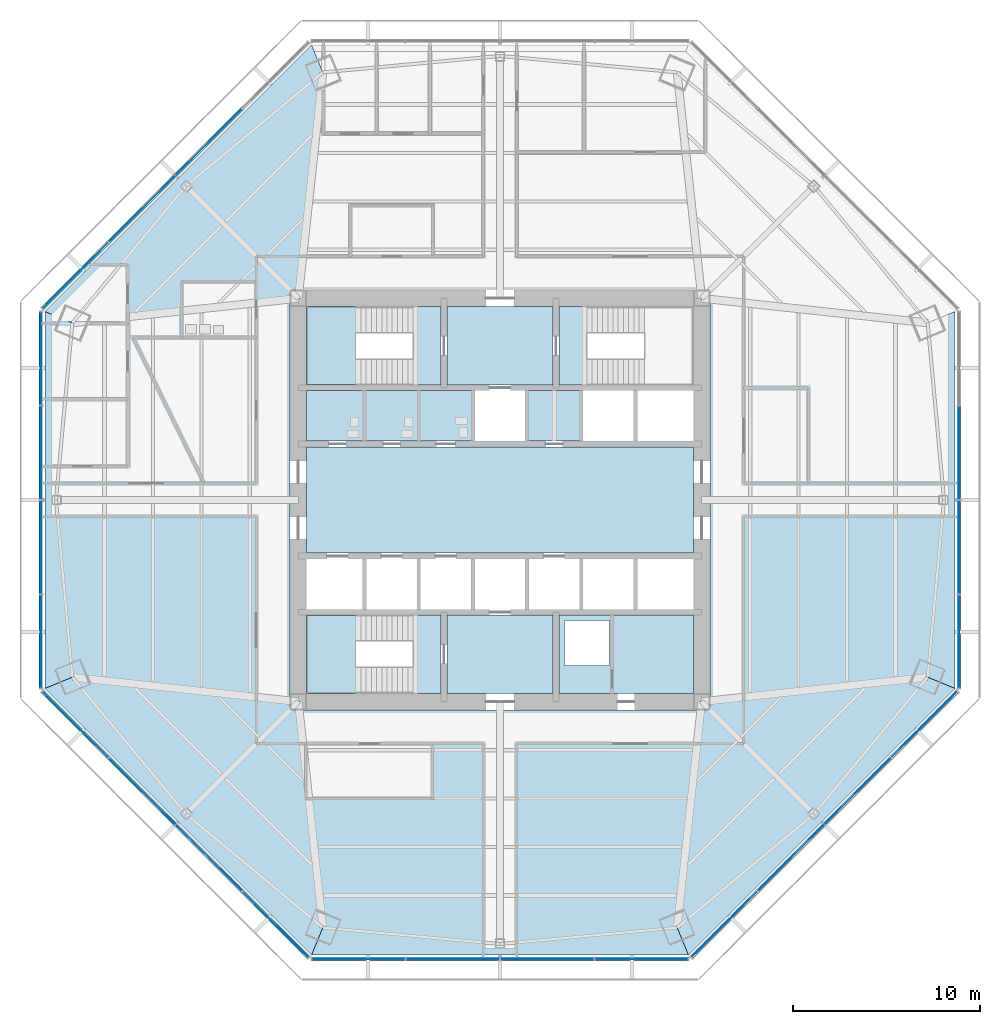
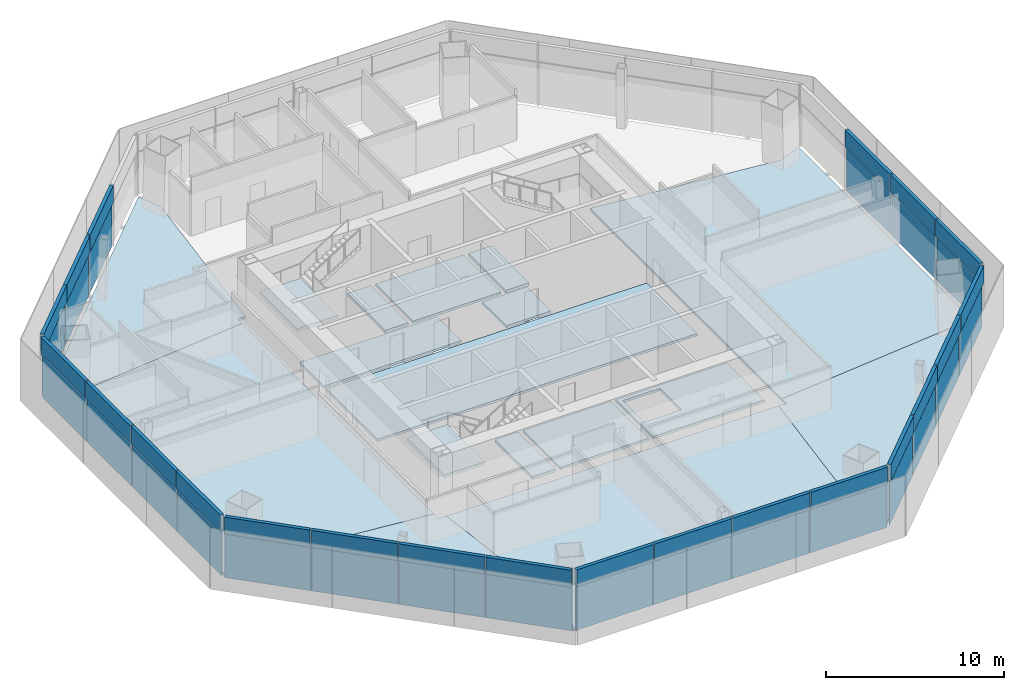
# One storey, part 7 of 14: 44 plates, 17 slabs, 9 elements without a shape of their own.
"""IFC4 building model written with IfcOpenShell, lengths in metres."""

from ifc_helpers import new_model, si_unit, direction, frame, origin, origin_2d, place, context, subcontext, project, spatial, polyline, rectangle, outline, extrude, source, transform, mapped, material, layer, layer_set, type_object, type_shapes, element, aggregate, save


model = new_model("IFC4")

# Units and contexts
model_context = context("Model", 3, precision=1e-05, world=origin(), true_north=direction((0.0, 1.0)))
body_context = subcontext(model_context, "Body", "Model", "MODEL_VIEW")
ifc_project = project(units=[si_unit("LENGTHUNIT", "METRE"), si_unit("AREAUNIT", "SQUARE_METRE"), si_unit("VOLUMEUNIT", "CUBIC_METRE"), si_unit("PLANEANGLEUNIT", "RADIAN"), si_unit("MASSUNIT", "GRAM", prefix="KILO")], contexts=[model_context])

# Site, building, storey
site_placement = place(None, origin())
site = spatial("IfcSite", under=ifc_project, at=site_placement, CompositionType="ELEMENT")
building_placement = place(site_placement, origin())
building = spatial("IfcBuilding", under=site, at=building_placement, Name="Mashrafa Tower", CompositionType="ELEMENT")
storey_placement = place(building_placement, frame((0.0, 0.0, 121.800048828125)))
storey = spatial("IfcBuildingStorey", under=building, at=storey_placement, Name="L27", CompositionType="ELEMENT", Elevation=121.800048828125)

# Slabs
ifc_material_1 = material(Name="Concrete C35/45", Category="concrete")
ifc_layer_1 = layer(ifc_material_1, 0.1650390625)
ifc_layer_set_1 = layer_set([ifc_layer_1], Name="Floor slab 165")
slab_type_1 = type_object("IfcSlabType", Name="Floor slab 165", PredefinedType="FLOOR", material=ifc_layer_set_1)
slab_1_placement = place(storey_placement, frame((0.0, 0.0, -0.1650390625)))
element("IfcSlab", 1, at=slab_1_placement, inside=storey, type_object=slab_type_1, Name="Floor slab L27 east bay", PredefinedType="FLOOR", context=body_context, shape_type="SweptSolid", body=[
    extrude(outline(polyline([(24.369140625, 10.093994140625), (24.369140625, -10.093994140625), (24.369140625, -10.093994140625), (22.8955078125, -9.483642578125), (11.25, -10.7509765625), (11.25, 10.7509765625), (22.8955078125, 9.483642578125), (24.369140625, 10.093994140625), (24.369140625, 10.093994140625)])), origin(), (0.0, 0.0, 1.0), 0.1650390625),
])
slab_2_placement = place(storey_placement, frame((0.0, 0.0, -0.1650390625)))
element("IfcSlab", 2, at=slab_2_placement, inside=storey, type_object=slab_type_1, Name="Floor slab L27 north-west bay", PredefinedType="FLOOR", context=body_context, shape_type="SweptSolid", body=[
    extrude(outline(polyline([(-10.093994140625, 24.369140625), (-9.483642578125, 22.8955078125), (-10.7509765625, 11.25), (-11.25, 11.25), (-11.25, 10.7509765625), (-22.8955078125, 9.483642578125), (-24.369140625, 10.093994140625), (-10.093994140625, 24.369140625)])), origin(), (0.0, 0.0, 1.0), 0.1650390625),
])
slab_3_placement = place(storey_placement, frame((0.0, 0.0, -0.1650390625)))
element("IfcSlab", 3, at=slab_3_placement, inside=storey, type_object=slab_type_1, Name="Floor slab L27 west bay", PredefinedType="FLOOR", context=body_context, shape_type="SweptSolid", body=[
    extrude(outline(polyline([(-24.369140625, -10.093994140625), (-24.369140625, 10.093994140625), (-24.369140625, 10.093994140625), (-22.8955078125, 9.483642578125), (-11.25, 10.7509765625), (-11.25, -10.7509765625), (-22.8955078125, -9.483642578125), (-24.369140625, -10.093994140625), (-24.369140625, -10.093994140625)])), origin(), (0.0, 0.0, 1.0), 0.1650390625),
])
slab_4_placement = place(storey_placement, frame((0.0, 0.0, -0.1650390625)))
element("IfcSlab", 4, at=slab_4_placement, inside=storey, type_object=slab_type_1, Name="Floor slab L27 south-west bay", PredefinedType="FLOOR", context=body_context, shape_type="SweptSolid", body=[
    extrude(outline(polyline([(-24.369140625, -10.093994140625), (-22.8955078125, -9.483642578125), (-11.25, -10.7509765625), (-11.25, -11.25), (-10.7509765625, -11.25), (-9.483642578125, -22.8955078125), (-10.093994140625, -24.369140625), (-24.369140625, -10.093994140625)])), origin(), (0.0, 0.0, 1.0), 0.1650390625),
])
slab_5_placement = place(storey_placement, frame((0.0, 0.0, -0.1650390625)))
element("IfcSlab", 5, at=slab_5_placement, inside=storey, type_object=slab_type_1, Name="Floor slab L27 south bay", PredefinedType="FLOOR", context=body_context, shape_type="SweptSolid", body=[
    extrude(outline(polyline([(-10.093994140625, -24.369140625), (-10.093994140625, -24.369140625), (-9.483642578125, -22.8955078125), (-10.7509765625, -11.25), (10.7509765625, -11.25), (9.483642578125, -22.8955078125), (10.093994140625, -24.369140625), (10.093994140625, -24.369140625), (-10.093994140625, -24.369140625)])), origin(), (0.0, 0.0, 1.0), 0.1650390625),
])
slab_6_placement = place(storey_placement, frame((0.0, 0.0, -0.1650390625)))
element("IfcSlab", 6, at=slab_6_placement, inside=storey, type_object=slab_type_1, Name="Floor slab L27 south-east bay", PredefinedType="FLOOR", context=body_context, shape_type="SweptSolid", body=[
    extrude(outline(polyline([(10.093994140625, -24.369140625), (9.483642578125, -22.8955078125), (10.7509765625, -11.25), (11.25, -11.25), (11.25, -10.7509765625), (22.8955078125, -9.483642578125), (24.369140625, -10.093994140625), (10.093994140625, -24.369140625)])), origin(), (0.0, 0.0, 1.0), 0.1650390625),
])
slab_7_placement = place(storey_placement, frame((0.0, 0.0, -0.1650390625)))
element("IfcSlab", 7, at=slab_7_placement, inside=storey, type_object=slab_type_1, Name="Core floor lift hall L27", PredefinedType="FLOOR", context=body_context, shape_type="SweptSolid", body=[
    extrude(outline(polyline([(-10.35009765625, 2.85009765625), (10.35009765625, 2.85009765625), (10.35009765625, -2.85009765625), (-10.35009765625, -2.85009765625), (-10.35009765625, 2.85009765625)])), origin(), (0.0, 0.0, 1.0), 0.1650390625),
])
slab_8_placement = place(storey_placement, frame((0.0, 0.0, -0.1650390625)))
element("IfcSlab", 8, at=slab_8_placement, inside=storey, type_object=slab_type_1, Name="Core floor riser and electrical band L27", PredefinedType="FLOOR", context=body_context, shape_type="SweptSolid", body=[
    extrude(outline(polyline([(10.35009765625, -6.14990234375), (10.35009765625, -10.35009765625), (3.14990234375, -10.35009765625), (3.14990234375, -6.14990234375), (10.35009765625, -6.14990234375)]), holes=[polyline([(3.449951171875, -8.85009765625), (5.85009765625, -8.85009765625), (5.85009765625, -6.449951171875), (3.449951171875, -6.449951171875), (3.449951171875, -8.85009765625)])]), origin(), (0.0, 0.0, 1.0), 0.1650390625),
])
slab_9_placement = place(storey_placement, frame((0.0, 0.0, -0.1650390625)))
element("IfcSlab", 9, at=slab_9_placement, inside=storey, type_object=slab_type_1, Name="Core floor lift cell L27", PredefinedType="FLOOR", context=body_context, shape_type="SweptSolid", body=[
    extrude(outline(polyline([(-1.449951171875, 3.14990234375), (-10.35009765625, 3.14990234375), (-10.35009765625, 5.85009765625), (-1.449951171875, 5.85009765625), (-1.449951171875, 3.14990234375)])), origin(), (0.0, 0.0, 1.0), 0.1650390625),
])
slab_10_placement = place(storey_placement, frame((0.0, 0.0, -0.1650390625)))
element("IfcSlab", 10, at=slab_10_placement, inside=storey, type_object=slab_type_1, Name="Core floor fire-fighting lobby north L27", PredefinedType="FLOOR", context=body_context, shape_type="SweptSolid", body=[
    extrude(outline(polyline([(-2.85009765625, 10.35009765625), (2.85009765625, 10.35009765625), (2.85009765625, 6.14990234375), (-2.85009765625, 6.14990234375), (-2.85009765625, 10.35009765625)])), origin(), (0.0, 0.0, 1.0), 0.1650390625),
])
slab_11_placement = place(storey_placement, frame((0.0, 0.0, -0.1650390625)))
element("IfcSlab", 11, at=slab_11_placement, inside=storey, type_object=slab_type_1, Name="Core floor fire-fighting lobby south L27", PredefinedType="FLOOR", context=body_context, shape_type="SweptSolid", body=[
    extrude(outline(polyline([(2.85009765625, -6.14990234375), (2.85009765625, -10.35009765625), (-2.85009765625, -10.35009765625), (-2.85009765625, -6.14990234375), (2.85009765625, -6.14990234375)])), origin(), (0.0, 0.0, 1.0), 0.1650390625),
])
slab_12_placement = place(storey_placement, frame((0.0, 0.0, -0.1650390625)))
element("IfcSlab", 12, at=slab_12_placement, inside=storey, type_object=slab_type_1, Name="Core floor lift cell L27", PredefinedType="FLOOR", context=body_context, shape_type="SweptSolid", body=[
    extrude(outline(polyline([(4.35009765625, 5.85009765625), (4.35009765625, 3.14990234375), (1.449951171875, 3.14990234375), (1.449951171875, 5.85009765625), (4.35009765625, 5.85009765625)])), origin(), (0.0, 0.0, 1.0), 0.1650390625),
])

# Stair, slabs
ifc_material_2 = material(Name="Exit stair 1400")
stair_type = type_object("IfcStairType", Name="Exit stair 1400", PredefinedType="HALF_TURN_STAIR", material=ifc_material_2)
stair_1_placement = place(storey_placement, origin())
stair_1 = element("IfcStair", 13, at=stair_1_placement, inside=storey, type_object=stair_type, Name="Stair S1 L27", PredefinedType="HALF_TURN_STAIR")
ifc_material_3 = material(Name="Concrete C32/40", Category="concrete")
ifc_layer_2 = layer(ifc_material_3, 0.199951171875)
ifc_layer_set_2 = layer_set([ifc_layer_2], Name="Stair landing 200")
slab_type_2 = type_object("IfcSlabType", Name="Stair landing 200", PredefinedType="LANDING", material=ifc_layer_set_2)
slab_13_placement = place(storey_placement, frame((0.0, 0.0, -0.199951171875)))
slab_13 = element("IfcSlab", 14, at=slab_13_placement, type_object=slab_type_2, Name="S1 landing 1", PredefinedType="LANDING", context=body_context, shape_type="SweptSolid", body=[
    extrude(outline(polyline([(-4.659912109375, 6.14990234375), (-3.14990234375, 6.14990234375), (-3.14990234375, 10.35009765625), (-4.659912109375, 10.35009765625), (-4.659912109375, 6.14990234375)])), origin(), (0.0, 0.0, 1.0), 0.199951171875),
])
slab_14_placement = place(storey_placement, frame((0.0, 0.0, 1.89990234375)))
slab_14 = element("IfcSlab", 15, at=slab_14_placement, type_object=slab_type_2, Name="S1 landing 2", PredefinedType="LANDING", context=body_context, shape_type="SweptSolid", body=[
    extrude(outline(polyline([(-10.35009765625, 6.14990234375), (-7.719970703125, 6.14990234375), (-7.719970703125, 10.35009765625), (-10.35009765625, 10.35009765625), (-10.35009765625, 6.14990234375)])), origin(), (0.0, 0.0, 1.0), 0.199951171875),
])
aggregate(stair_1, [slab_13, slab_14])

# Stair, slab
stair_2_placement = place(storey_placement, origin())
stair_2 = element("IfcStair", 16, at=stair_2_placement, inside=storey, type_object=stair_type, Name="Stair S2 L27", PredefinedType="HALF_TURN_STAIR")
slab_15_placement = place(storey_placement, frame((0.0, 0.0, -0.199951171875)))
slab_15 = element("IfcSlab", 17, at=slab_15_placement, type_object=slab_type_2, Name="S2 landing 1", PredefinedType="LANDING", context=body_context, shape_type="SweptSolid", body=[
    extrude(outline(polyline([(3.14990234375, 6.14990234375), (4.659912109375, 6.14990234375), (4.659912109375, 10.35009765625), (3.14990234375, 10.35009765625), (3.14990234375, 6.14990234375)])), origin(), (0.0, 0.0, 1.0), 0.199951171875),
])
aggregate(stair_2, [slab_15])

# Stair, slabs
stair_3_placement = place(storey_placement, origin())
stair_3 = element("IfcStair", 18, at=stair_3_placement, inside=storey, type_object=stair_type, Name="Stair S3 L27", PredefinedType="HALF_TURN_STAIR")
slab_16_placement = place(storey_placement, frame((0.0, 0.0, -0.199951171875)))
slab_16 = element("IfcSlab", 19, at=slab_16_placement, type_object=slab_type_2, Name="S3 landing 1", PredefinedType="LANDING", context=body_context, shape_type="SweptSolid", body=[
    extrude(outline(polyline([(-4.659912109375, -10.35009765625), (-3.14990234375, -10.35009765625), (-3.14990234375, -6.14990234375), (-4.659912109375, -6.14990234375), (-4.659912109375, -10.35009765625)])), origin(), (0.0, 0.0, 1.0), 0.199951171875),
])
slab_17_placement = place(storey_placement, frame((0.0, 0.0, 1.89990234375)))
slab_17 = element("IfcSlab", 20, at=slab_17_placement, type_object=slab_type_2, Name="S3 landing 2", PredefinedType="LANDING", context=body_context, shape_type="SweptSolid", body=[
    extrude(outline(polyline([(-10.35009765625, -10.35009765625), (-7.719970703125, -10.35009765625), (-7.719970703125, -6.14990234375), (-10.35009765625, -6.14990234375), (-10.35009765625, -10.35009765625)])), origin(), (0.0, 0.0, 1.0), 0.199951171875),
])
aggregate(stair_3, [slab_16, slab_17])

# Curtain wall, plate
ifc_material_4 = material(Name="Unitised aluminium curtain wall", Category="aluminium")
curtain_wall_type = type_object("IfcCurtainWallType", Name="Office curtain wall, zone 2 CW-B 225 deep", PredefinedType="NOTDEFINED", material=ifc_material_4)
curtain_wall_1_placement = place(storey_placement, origin())
curtain_wall_1 = element("IfcCurtainWall", 21, at=curtain_wall_1_placement, inside=storey, type_object=curtain_wall_type, Name="Office curtain wall, zone 2 L27 east", PredefinedType="NOTDEFINED")
ifc_material_5 = material(Name="Insulated double glazing, low-e, neutral", Category="glass")
ifc_layer_3 = layer(ifc_material_5, 0.028076171875)
ifc_layer_set_3 = layer_set([ifc_layer_3], Name="Vision panel CW-B 28")
plate_type_1 = type_object("IfcPlateType", Name="Vision panel CW-B 28", PredefinedType="CURTAIN_PANEL", material=ifc_layer_set_3)
shared_shape_1 = source(origin(), body_context, "Body", "SweptSolid", [
    extrude(rectangle(XDim=4.962646484375, YDim=0.028076171875, at=origin_2d()), origin(), (0.0, 0.0, 1.0), 2.9599609375),
])
plate_1_placement = place(storey_placement, frame((24.569091796875, -7.573974609375, 0.0), z_axis=(0.0, 0.0, 1.0), x_axis=(0.0, 1.0, 0.0)))
plate_1 = element("IfcPlate", 22, at=plate_1_placement, type_object=plate_type_1, Name="CW-B vision panel 1", PredefinedType="CURTAIN_PANEL", context=body_context, shape_type="MappedRepresentation", body=[
    mapped(shared_shape_1, transform((0.0, 0.0, 0.0))),
])

curtain_wall_2_placement = place(storey_placement, origin())
curtain_wall_2 = element("IfcCurtainWall", 23, at=curtain_wall_2_placement, inside=storey, type_object=curtain_wall_type, Name="Office curtain wall, zone 2 L27 north-west", PredefinedType="NOTDEFINED")
plate_2_placement = place(storey_placement, frame((-22.728515625, 12.017333984375, 0.0), z_axis=(0.0, 0.0, 1.0), x_axis=(-0.707106781187, -0.707106781187, 0.0)))
plate_2 = element("IfcPlate", 24, at=plate_2_placement, type_object=plate_type_1, Name="CW-B vision panel 4", PredefinedType="CURTAIN_PANEL", context=body_context, shape_type="MappedRepresentation", body=[
    mapped(shared_shape_1, transform((0.0, 0.0, 0.0))),
])

# Curtain wall, plates
curtain_wall_3_placement = place(storey_placement, origin())
curtain_wall_3 = element("IfcCurtainWall", 25, at=curtain_wall_3_placement, inside=storey, type_object=curtain_wall_type, Name="Office curtain wall, zone 2 L27 west", PredefinedType="NOTDEFINED")
plate_3_placement = place(storey_placement, frame((-24.569091796875, 7.573974609375, 0.0), z_axis=(0.0, 0.0, 1.0), x_axis=(0.0, -1.0, 0.0)))
plate_3 = element("IfcPlate", 26, at=plate_3_placement, type_object=plate_type_1, Name="CW-B vision panel 1", PredefinedType="CURTAIN_PANEL", context=body_context, shape_type="MappedRepresentation", body=[
    mapped(shared_shape_1, transform((0.0, 0.0, 0.0))),
])
plate_4_placement = place(storey_placement, frame((-24.569091796875, -7.573974609375, 0.0), z_axis=(0.0, 0.0, 1.0), x_axis=(0.0, -1.0, 0.0)))
plate_4 = element("IfcPlate", 27, at=plate_4_placement, type_object=plate_type_1, Name="CW-B vision panel 4", PredefinedType="CURTAIN_PANEL", context=body_context, shape_type="MappedRepresentation", body=[
    mapped(shared_shape_1, transform((0.0, 0.0, 0.0))),
])

curtain_wall_4_placement = place(storey_placement, origin())
curtain_wall_4 = element("IfcCurtainWall", 28, at=curtain_wall_4_placement, inside=storey, type_object=curtain_wall_type, Name="Office curtain wall, zone 2 L27 south-west", PredefinedType="NOTDEFINED")
plate_5_placement = place(storey_placement, frame((-22.728515625, -12.017333984375, 0.0), z_axis=(0.0, 0.0, 1.0), x_axis=(0.707106781187, -0.707106781187, 0.0)))
plate_5 = element("IfcPlate", 29, at=plate_5_placement, type_object=plate_type_1, Name="CW-B vision panel 1", PredefinedType="CURTAIN_PANEL", context=body_context, shape_type="MappedRepresentation", body=[
    mapped(shared_shape_1, transform((0.0, 0.0, 0.0))),
])
plate_6_placement = place(storey_placement, frame((-12.017333984375, -22.728515625, 0.0), z_axis=(0.0, 0.0, 1.0), x_axis=(0.707106781187, -0.707106781187, 0.0)))
plate_6 = element("IfcPlate", 30, at=plate_6_placement, type_object=plate_type_1, Name="CW-B vision panel 4", PredefinedType="CURTAIN_PANEL", context=body_context, shape_type="MappedRepresentation", body=[
    mapped(shared_shape_1, transform((0.0, 0.0, 0.0))),
])

curtain_wall_5_placement = place(storey_placement, origin())
curtain_wall_5 = element("IfcCurtainWall", 31, at=curtain_wall_5_placement, inside=storey, type_object=curtain_wall_type, Name="Office curtain wall, zone 2 L27 south", PredefinedType="NOTDEFINED")
plate_7_placement = place(storey_placement, frame((-7.573974609375, -24.569091796875, 0.0), z_axis=(0.0, 0.0, 1.0), x_axis=(1.0, 0.0, 0.0)))
plate_7 = element("IfcPlate", 32, at=plate_7_placement, type_object=plate_type_1, Name="CW-B vision panel 1", PredefinedType="CURTAIN_PANEL", context=body_context, shape_type="MappedRepresentation", body=[
    mapped(shared_shape_1, transform((0.0, 0.0, 0.0))),
])
plate_8_placement = place(storey_placement, frame((7.573974609375, -24.569091796875, 0.0), z_axis=(0.0, 0.0, 1.0), x_axis=(1.0, 0.0, 0.0)))
plate_8 = element("IfcPlate", 33, at=plate_8_placement, type_object=plate_type_1, Name="CW-B vision panel 4", PredefinedType="CURTAIN_PANEL", context=body_context, shape_type="MappedRepresentation", body=[
    mapped(shared_shape_1, transform((0.0, 0.0, 0.0))),
])

curtain_wall_6_placement = place(storey_placement, origin())
curtain_wall_6 = element("IfcCurtainWall", 34, at=curtain_wall_6_placement, inside=storey, type_object=curtain_wall_type, Name="Office curtain wall, zone 2 L27 south-east", PredefinedType="NOTDEFINED")
plate_9_placement = place(storey_placement, frame((12.017333984375, -22.728515625, 0.0), z_axis=(0.0, 0.0, 1.0), x_axis=(0.707106781187, 0.707106781187, 0.0)))
plate_9 = element("IfcPlate", 35, at=plate_9_placement, type_object=plate_type_1, Name="CW-B vision panel 1", PredefinedType="CURTAIN_PANEL", context=body_context, shape_type="MappedRepresentation", body=[
    mapped(shared_shape_1, transform((0.0, 0.0, 0.0))),
])
plate_10_placement = place(storey_placement, frame((22.728515625, -12.017333984375, 0.0), z_axis=(0.0, 0.0, 1.0), x_axis=(0.707106781187, 0.707106781187, 0.0)))
plate_10 = element("IfcPlate", 36, at=plate_10_placement, type_object=plate_type_1, Name="CW-B vision panel 4", PredefinedType="CURTAIN_PANEL", context=body_context, shape_type="MappedRepresentation", body=[
    mapped(shared_shape_1, transform((0.0, 0.0, 0.0))),
])

# Plate
ifc_material_6 = material(Name="Insulated aluminium spandrel panel", Category="aluminium")
ifc_layer_4 = layer(ifc_material_6, 0.219970703125)
ifc_layer_set_4 = layer_set([ifc_layer_4], Name="Spandrel panel CW-B 220")
plate_type_2 = type_object("IfcPlateType", Name="Spandrel panel CW-B 220", PredefinedType="CURTAIN_PANEL", material=ifc_layer_set_4)
shared_shape_2 = source(origin(), body_context, "Body", "SweptSolid", [
    extrude(rectangle(XDim=4.962646484375, YDim=0.219970703125, at=origin_2d()), origin(), (0.0, 0.0, 1.0), 1.159912109375),
])
plate_11_placement = place(storey_placement, frame((24.569091796875, -7.573974609375, 3.0400390625), z_axis=(0.0, 0.0, 1.0), x_axis=(0.0, 1.0, 0.0)))
plate_11 = element("IfcPlate", 37, at=plate_11_placement, type_object=plate_type_2, Name="CW-B spandrel panel 1", PredefinedType="CURTAIN_PANEL", context=body_context, shape_type="MappedRepresentation", body=[
    mapped(shared_shape_2, transform((0.0, 0.0, 0.0))),
])

plate_12_placement = place(storey_placement, frame((-22.728515625, 12.017333984375, 3.0400390625), z_axis=(0.0, 0.0, 1.0), x_axis=(-0.707106781187, -0.707106781187, 0.0)))
plate_12 = element("IfcPlate", 38, at=plate_12_placement, type_object=plate_type_2, Name="CW-B spandrel panel 4", PredefinedType="CURTAIN_PANEL", context=body_context, shape_type="MappedRepresentation", body=[
    mapped(shared_shape_2, transform((0.0, 0.0, 0.0))),
])

plate_13_placement = place(storey_placement, frame((-24.569091796875, 7.573974609375, 3.0400390625), z_axis=(0.0, 0.0, 1.0), x_axis=(0.0, -1.0, 0.0)))
plate_13 = element("IfcPlate", 39, at=plate_13_placement, type_object=plate_type_2, Name="CW-B spandrel panel 1", PredefinedType="CURTAIN_PANEL", context=body_context, shape_type="MappedRepresentation", body=[
    mapped(shared_shape_2, transform((0.0, 0.0, 0.0))),
])

plate_14_placement = place(storey_placement, frame((-24.569091796875, -7.573974609375, 3.0400390625), z_axis=(0.0, 0.0, 1.0), x_axis=(0.0, -1.0, 0.0)))
plate_14 = element("IfcPlate", 40, at=plate_14_placement, type_object=plate_type_2, Name="CW-B spandrel panel 4", PredefinedType="CURTAIN_PANEL", context=body_context, shape_type="MappedRepresentation", body=[
    mapped(shared_shape_2, transform((0.0, 0.0, 0.0))),
])

plate_15_placement = place(storey_placement, frame((-22.728515625, -12.017333984375, 3.0400390625), z_axis=(0.0, 0.0, 1.0), x_axis=(0.707106781187, -0.707106781187, 0.0)))
plate_15 = element("IfcPlate", 41, at=plate_15_placement, type_object=plate_type_2, Name="CW-B spandrel panel 1", PredefinedType="CURTAIN_PANEL", context=body_context, shape_type="MappedRepresentation", body=[
    mapped(shared_shape_2, transform((0.0, 0.0, 0.0))),
])

plate_16_placement = place(storey_placement, frame((-12.017333984375, -22.728515625, 3.0400390625), z_axis=(0.0, 0.0, 1.0), x_axis=(0.707106781187, -0.707106781187, 0.0)))
plate_16 = element("IfcPlate", 42, at=plate_16_placement, type_object=plate_type_2, Name="CW-B spandrel panel 4", PredefinedType="CURTAIN_PANEL", context=body_context, shape_type="MappedRepresentation", body=[
    mapped(shared_shape_2, transform((0.0, 0.0, 0.0))),
])

plate_17_placement = place(storey_placement, frame((-7.573974609375, -24.569091796875, 3.0400390625), z_axis=(0.0, 0.0, 1.0), x_axis=(1.0, 0.0, 0.0)))
plate_17 = element("IfcPlate", 43, at=plate_17_placement, type_object=plate_type_2, Name="CW-B spandrel panel 1", PredefinedType="CURTAIN_PANEL", context=body_context, shape_type="MappedRepresentation", body=[
    mapped(shared_shape_2, transform((0.0, 0.0, 0.0))),
])

plate_18_placement = place(storey_placement, frame((7.573974609375, -24.569091796875, 3.0400390625), z_axis=(0.0, 0.0, 1.0), x_axis=(1.0, 0.0, 0.0)))
plate_18 = element("IfcPlate", 44, at=plate_18_placement, type_object=plate_type_2, Name="CW-B spandrel panel 4", PredefinedType="CURTAIN_PANEL", context=body_context, shape_type="MappedRepresentation", body=[
    mapped(shared_shape_2, transform((0.0, 0.0, 0.0))),
])

plate_19_placement = place(storey_placement, frame((12.017333984375, -22.728515625, 3.0400390625), z_axis=(0.0, 0.0, 1.0), x_axis=(0.707106781187, 0.707106781187, 0.0)))
plate_19 = element("IfcPlate", 45, at=plate_19_placement, type_object=plate_type_2, Name="CW-B spandrel panel 1", PredefinedType="CURTAIN_PANEL", context=body_context, shape_type="MappedRepresentation", body=[
    mapped(shared_shape_2, transform((0.0, 0.0, 0.0))),
])

plate_20_placement = place(storey_placement, frame((22.728515625, -12.017333984375, 3.0400390625), z_axis=(0.0, 0.0, 1.0), x_axis=(0.707106781187, 0.707106781187, 0.0)))
plate_20 = element("IfcPlate", 46, at=plate_20_placement, type_object=plate_type_2, Name="CW-B spandrel panel 4", PredefinedType="CURTAIN_PANEL", context=body_context, shape_type="MappedRepresentation", body=[
    mapped(shared_shape_2, transform((0.0, 0.0, 0.0))),
])

shared_shape_3 = source(origin(), body_context, "Body", "SweptSolid", [
    extrude(rectangle(XDim=4.9951171875, YDim=0.028076171875, at=origin_2d()), origin(), (0.0, 0.0, 1.0), 2.9599609375),
])
type_shapes(plate_type_1, [shared_shape_1, shared_shape_3])
plate_21_placement = place(storey_placement, frame((24.569091796875, -2.530029296875, 0.0), z_axis=(0.0, 0.0, 1.0), x_axis=(0.0, 1.0, 0.0)))
plate_21 = element("IfcPlate", 47, at=plate_21_placement, type_object=plate_type_1, Name="CW-B vision panel 2", PredefinedType="CURTAIN_PANEL", context=body_context, shape_type="MappedRepresentation", body=[
    mapped(shared_shape_3, transform((0.0, 0.0, 0.0))),
])

plate_22_placement = place(storey_placement, frame((24.569091796875, 2.530029296875, 0.0), z_axis=(0.0, 0.0, 1.0), x_axis=(0.0, 1.0, 0.0)))
plate_22 = element("IfcPlate", 48, at=plate_22_placement, type_object=plate_type_1, Name="CW-B vision panel 3", PredefinedType="CURTAIN_PANEL", context=body_context, shape_type="MappedRepresentation", body=[
    mapped(shared_shape_3, transform((0.0, 0.0, 0.0))),
])

plate_23_placement = place(storey_placement, frame((-15.583984375, 19.162109375, 0.0), z_axis=(0.0, 0.0, 1.0), x_axis=(-0.707106781187, -0.707106781187, 0.0)))
plate_23 = element("IfcPlate", 49, at=plate_23_placement, type_object=plate_type_1, Name="CW-B vision panel 2", PredefinedType="CURTAIN_PANEL", context=body_context, shape_type="MappedRepresentation", body=[
    mapped(shared_shape_3, transform((0.0, 0.0, 0.0))),
])

plate_24_placement = place(storey_placement, frame((-19.162109375, 15.583984375, 0.0), z_axis=(0.0, 0.0, 1.0), x_axis=(-0.707106781187, -0.707106781187, 0.0)))
plate_24 = element("IfcPlate", 50, at=plate_24_placement, type_object=plate_type_1, Name="CW-B vision panel 3", PredefinedType="CURTAIN_PANEL", context=body_context, shape_type="MappedRepresentation", body=[
    mapped(shared_shape_3, transform((0.0, 0.0, 0.0))),
])

plate_25_placement = place(storey_placement, frame((-24.569091796875, 2.530029296875, 0.0), z_axis=(0.0, 0.0, 1.0), x_axis=(0.0, -1.0, 0.0)))
plate_25 = element("IfcPlate", 51, at=plate_25_placement, type_object=plate_type_1, Name="CW-B vision panel 2", PredefinedType="CURTAIN_PANEL", context=body_context, shape_type="MappedRepresentation", body=[
    mapped(shared_shape_3, transform((0.0, 0.0, 0.0))),
])

plate_26_placement = place(storey_placement, frame((-24.569091796875, -2.530029296875, 0.0), z_axis=(0.0, 0.0, 1.0), x_axis=(0.0, -1.0, 0.0)))
plate_26 = element("IfcPlate", 52, at=plate_26_placement, type_object=plate_type_1, Name="CW-B vision panel 3", PredefinedType="CURTAIN_PANEL", context=body_context, shape_type="MappedRepresentation", body=[
    mapped(shared_shape_3, transform((0.0, 0.0, 0.0))),
])

plate_27_placement = place(storey_placement, frame((-19.162109375, -15.583984375, 0.0), z_axis=(0.0, 0.0, 1.0), x_axis=(0.707106781187, -0.707106781187, 0.0)))
plate_27 = element("IfcPlate", 53, at=plate_27_placement, type_object=plate_type_1, Name="CW-B vision panel 2", PredefinedType="CURTAIN_PANEL", context=body_context, shape_type="MappedRepresentation", body=[
    mapped(shared_shape_3, transform((0.0, 0.0, 0.0))),
])

plate_28_placement = place(storey_placement, frame((-15.583984375, -19.162109375, 0.0), z_axis=(0.0, 0.0, 1.0), x_axis=(0.707106781187, -0.707106781187, 0.0)))
plate_28 = element("IfcPlate", 54, at=plate_28_placement, type_object=plate_type_1, Name="CW-B vision panel 3", PredefinedType="CURTAIN_PANEL", context=body_context, shape_type="MappedRepresentation", body=[
    mapped(shared_shape_3, transform((0.0, 0.0, 0.0))),
])

plate_29_placement = place(storey_placement, frame((-2.530029296875, -24.569091796875, 0.0), z_axis=(0.0, 0.0, 1.0), x_axis=(1.0, 0.0, 0.0)))
plate_29 = element("IfcPlate", 55, at=plate_29_placement, type_object=plate_type_1, Name="CW-B vision panel 2", PredefinedType="CURTAIN_PANEL", context=body_context, shape_type="MappedRepresentation", body=[
    mapped(shared_shape_3, transform((0.0, 0.0, 0.0))),
])

plate_30_placement = place(storey_placement, frame((2.530029296875, -24.569091796875, 0.0), z_axis=(0.0, 0.0, 1.0), x_axis=(1.0, 0.0, 0.0)))
plate_30 = element("IfcPlate", 56, at=plate_30_placement, type_object=plate_type_1, Name="CW-B vision panel 3", PredefinedType="CURTAIN_PANEL", context=body_context, shape_type="MappedRepresentation", body=[
    mapped(shared_shape_3, transform((0.0, 0.0, 0.0))),
])

plate_31_placement = place(storey_placement, frame((15.583984375, -19.162109375, 0.0), z_axis=(0.0, 0.0, 1.0), x_axis=(0.707106781187, 0.707106781187, 0.0)))
plate_31 = element("IfcPlate", 57, at=plate_31_placement, type_object=plate_type_1, Name="CW-B vision panel 2", PredefinedType="CURTAIN_PANEL", context=body_context, shape_type="MappedRepresentation", body=[
    mapped(shared_shape_3, transform((0.0, 0.0, 0.0))),
])

plate_32_placement = place(storey_placement, frame((19.162109375, -15.583984375, 0.0), z_axis=(0.0, 0.0, 1.0), x_axis=(0.707106781187, 0.707106781187, 0.0)))
plate_32 = element("IfcPlate", 58, at=plate_32_placement, type_object=plate_type_1, Name="CW-B vision panel 3", PredefinedType="CURTAIN_PANEL", context=body_context, shape_type="MappedRepresentation", body=[
    mapped(shared_shape_3, transform((0.0, 0.0, 0.0))),
])

shared_shape_4 = source(origin(), body_context, "Body", "SweptSolid", [
    extrude(rectangle(XDim=4.9951171875, YDim=0.219970703125, at=origin_2d()), origin(), (0.0, 0.0, 1.0), 1.159912109375),
])
type_shapes(plate_type_2, [shared_shape_2, shared_shape_4])
plate_33_placement = place(storey_placement, frame((24.569091796875, -2.530029296875, 3.0400390625), z_axis=(0.0, 0.0, 1.0), x_axis=(0.0, 1.0, 0.0)))
plate_33 = element("IfcPlate", 59, at=plate_33_placement, type_object=plate_type_2, Name="CW-B spandrel panel 2", PredefinedType="CURTAIN_PANEL", context=body_context, shape_type="MappedRepresentation", body=[
    mapped(shared_shape_4, transform((0.0, 0.0, 0.0))),
])

plate_34_placement = place(storey_placement, frame((24.569091796875, 2.530029296875, 3.0400390625), z_axis=(0.0, 0.0, 1.0), x_axis=(0.0, 1.0, 0.0)))
plate_34 = element("IfcPlate", 60, at=plate_34_placement, type_object=plate_type_2, Name="CW-B spandrel panel 3", PredefinedType="CURTAIN_PANEL", context=body_context, shape_type="MappedRepresentation", body=[
    mapped(shared_shape_4, transform((0.0, 0.0, 0.0))),
])

aggregate(curtain_wall_1, [plate_1, plate_11, plate_21, plate_33, plate_22, plate_34])

plate_35_placement = place(storey_placement, frame((-15.583984375, 19.162109375, 3.0400390625), z_axis=(0.0, 0.0, 1.0), x_axis=(-0.707106781187, -0.707106781187, 0.0)))
plate_35 = element("IfcPlate", 61, at=plate_35_placement, type_object=plate_type_2, Name="CW-B spandrel panel 2", PredefinedType="CURTAIN_PANEL", context=body_context, shape_type="MappedRepresentation", body=[
    mapped(shared_shape_4, transform((0.0, 0.0, 0.0))),
])

plate_36_placement = place(storey_placement, frame((-19.162109375, 15.583984375, 3.0400390625), z_axis=(0.0, 0.0, 1.0), x_axis=(-0.707106781187, -0.707106781187, 0.0)))
plate_36 = element("IfcPlate", 62, at=plate_36_placement, type_object=plate_type_2, Name="CW-B spandrel panel 3", PredefinedType="CURTAIN_PANEL", context=body_context, shape_type="MappedRepresentation", body=[
    mapped(shared_shape_4, transform((0.0, 0.0, 0.0))),
])

aggregate(curtain_wall_2, [plate_23, plate_35, plate_24, plate_36, plate_2, plate_12])

plate_37_placement = place(storey_placement, frame((-24.569091796875, 2.530029296875, 3.0400390625), z_axis=(0.0, 0.0, 1.0), x_axis=(0.0, -1.0, 0.0)))
plate_37 = element("IfcPlate", 63, at=plate_37_placement, type_object=plate_type_2, Name="CW-B spandrel panel 2", PredefinedType="CURTAIN_PANEL", context=body_context, shape_type="MappedRepresentation", body=[
    mapped(shared_shape_4, transform((0.0, 0.0, 0.0))),
])

plate_38_placement = place(storey_placement, frame((-24.569091796875, -2.530029296875, 3.0400390625), z_axis=(0.0, 0.0, 1.0), x_axis=(0.0, -1.0, 0.0)))
plate_38 = element("IfcPlate", 64, at=plate_38_placement, type_object=plate_type_2, Name="CW-B spandrel panel 3", PredefinedType="CURTAIN_PANEL", context=body_context, shape_type="MappedRepresentation", body=[
    mapped(shared_shape_4, transform((0.0, 0.0, 0.0))),
])

aggregate(curtain_wall_3, [plate_3, plate_13, plate_25, plate_37, plate_26, plate_38, plate_4, plate_14])

plate_39_placement = place(storey_placement, frame((-19.162109375, -15.583984375, 3.0400390625), z_axis=(0.0, 0.0, 1.0), x_axis=(0.707106781187, -0.707106781187, 0.0)))
plate_39 = element("IfcPlate", 65, at=plate_39_placement, type_object=plate_type_2, Name="CW-B spandrel panel 2", PredefinedType="CURTAIN_PANEL", context=body_context, shape_type="MappedRepresentation", body=[
    mapped(shared_shape_4, transform((0.0, 0.0, 0.0))),
])

plate_40_placement = place(storey_placement, frame((-15.583984375, -19.162109375, 3.0400390625), z_axis=(0.0, 0.0, 1.0), x_axis=(0.707106781187, -0.707106781187, 0.0)))
plate_40 = element("IfcPlate", 66, at=plate_40_placement, type_object=plate_type_2, Name="CW-B spandrel panel 3", PredefinedType="CURTAIN_PANEL", context=body_context, shape_type="MappedRepresentation", body=[
    mapped(shared_shape_4, transform((0.0, 0.0, 0.0))),
])

aggregate(curtain_wall_4, [plate_5, plate_15, plate_27, plate_39, plate_28, plate_40, plate_6, plate_16])

plate_41_placement = place(storey_placement, frame((-2.530029296875, -24.569091796875, 3.0400390625), z_axis=(0.0, 0.0, 1.0), x_axis=(1.0, 0.0, 0.0)))
plate_41 = element("IfcPlate", 67, at=plate_41_placement, type_object=plate_type_2, Name="CW-B spandrel panel 2", PredefinedType="CURTAIN_PANEL", context=body_context, shape_type="MappedRepresentation", body=[
    mapped(shared_shape_4, transform((0.0, 0.0, 0.0))),
])

plate_42_placement = place(storey_placement, frame((2.530029296875, -24.569091796875, 3.0400390625), z_axis=(0.0, 0.0, 1.0), x_axis=(1.0, 0.0, 0.0)))
plate_42 = element("IfcPlate", 68, at=plate_42_placement, type_object=plate_type_2, Name="CW-B spandrel panel 3", PredefinedType="CURTAIN_PANEL", context=body_context, shape_type="MappedRepresentation", body=[
    mapped(shared_shape_4, transform((0.0, 0.0, 0.0))),
])

aggregate(curtain_wall_5, [plate_7, plate_17, plate_29, plate_41, plate_30, plate_42, plate_8, plate_18])

plate_43_placement = place(storey_placement, frame((15.583984375, -19.162109375, 3.0400390625), z_axis=(0.0, 0.0, 1.0), x_axis=(0.707106781187, 0.707106781187, 0.0)))
plate_43 = element("IfcPlate", 69, at=plate_43_placement, type_object=plate_type_2, Name="CW-B spandrel panel 2", PredefinedType="CURTAIN_PANEL", context=body_context, shape_type="MappedRepresentation", body=[
    mapped(shared_shape_4, transform((0.0, 0.0, 0.0))),
])

plate_44_placement = place(storey_placement, frame((19.162109375, -15.583984375, 3.0400390625), z_axis=(0.0, 0.0, 1.0), x_axis=(0.707106781187, 0.707106781187, 0.0)))
plate_44 = element("IfcPlate", 70, at=plate_44_placement, type_object=plate_type_2, Name="CW-B spandrel panel 3", PredefinedType="CURTAIN_PANEL", context=body_context, shape_type="MappedRepresentation", body=[
    mapped(shared_shape_4, transform((0.0, 0.0, 0.0))),
])

aggregate(curtain_wall_6, [plate_9, plate_19, plate_31, plate_43, plate_32, plate_44, plate_10, plate_20])

save(model, "model.ifc")
